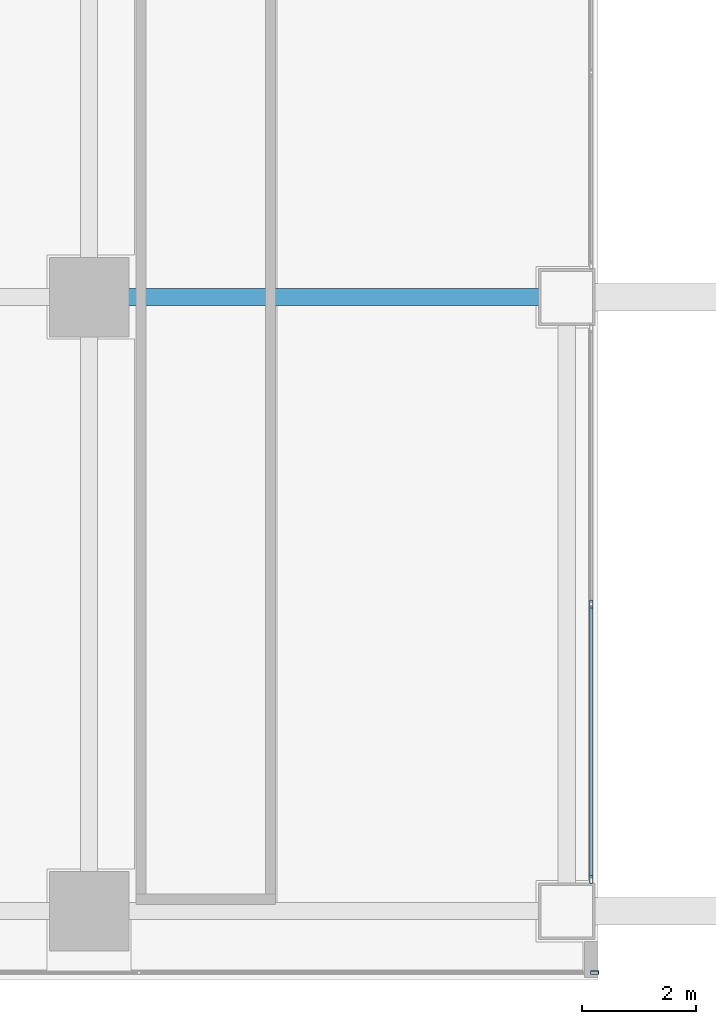
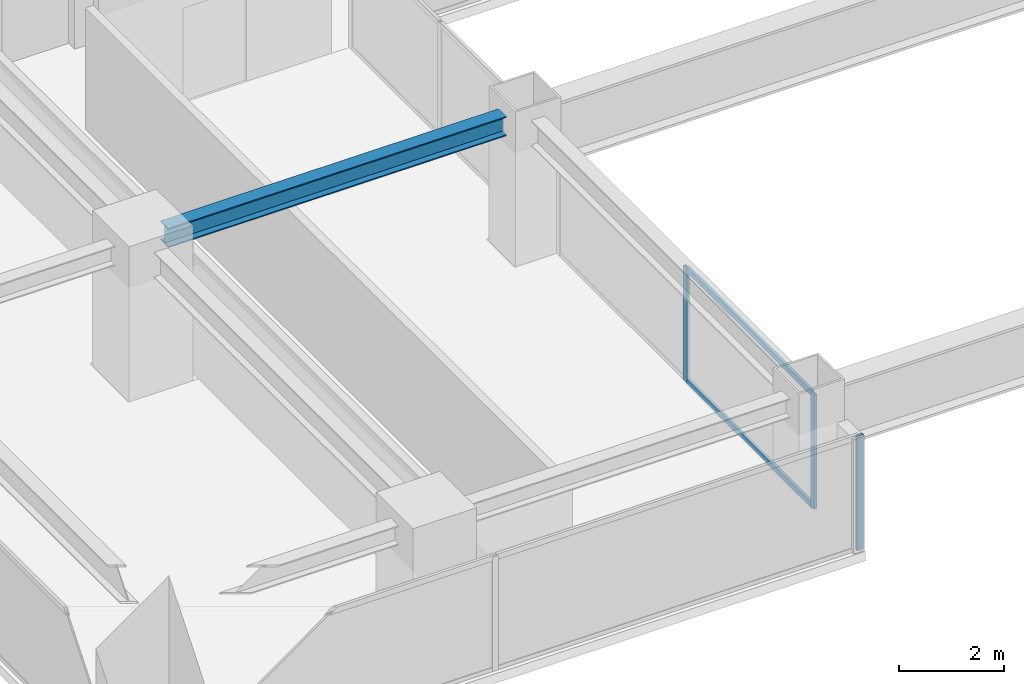
# One storey, part 5 of 32: 5 members, 1 beam, 2 elements without a shape of their own.
"""IFC4 building model written with IfcOpenShell, lengths in metres."""

from ifc_helpers import new_model, si_unit, direction, frame, origin, origin_2d, place, context, subcontext, project, spatial, hollow_rectangle, i_section, extrude, source, transform, mapped, material, layer, layer_set, material_profile, profile_set, type_object, element, aggregate, save


model = new_model("IFC4")

# Units and contexts
model_context = context("Model", 3, precision=1e-05, world=origin(), true_north=direction((0.0, 1.0)))
body_context = subcontext(model_context, "Body", "Model", "MODEL_VIEW")
ifc_project = project(units=[si_unit("LENGTHUNIT", "METRE"), si_unit("AREAUNIT", "SQUARE_METRE"), si_unit("VOLUMEUNIT", "CUBIC_METRE"), si_unit("PLANEANGLEUNIT", "RADIAN"), si_unit("MASSUNIT", "GRAM", prefix="KILO")], contexts=[model_context])

# Site, building, storey
site_placement = place(None, origin())
site = spatial("IfcSite", under=ifc_project, at=site_placement, CompositionType="ELEMENT")
building_placement = place(site_placement, origin())
building = spatial("IfcBuilding", under=site, at=building_placement, Name="Sumidabori Civic Tower", CompositionType="ELEMENT")
storey_placement = place(building_placement, frame((0.0, 0.0, 225.199951171875)))
storey = spatial("IfcBuildingStorey", under=building, at=storey_placement, Name="L58", CompositionType="ELEMENT", Elevation=225.199951171875)

# Beam
ifc_material_1 = material(Name="Steel SN490", Category="steel")
ifc_material_profile_1 = material_profile(ifc_material_1, i_section(OverallWidth=0.300048828125, OverallDepth=0.449951171875, WebThickness=0.013916015625, FlangeThickness=0.02587890625, at=origin_2d()), Name="HE 450 B")
ifc_profile_set_1 = profile_set([ifc_material_profile_1], Name="Steel SN490")
beam_type = type_object("IfcBeamType", Name="BM-GIRD-450", PredefinedType="BEAM", material=ifc_profile_set_1)
shared_shape_1 = source(origin(), body_context, "Body", "SweptSolid", [
    extrude(i_section(OverallWidth=0.300048828125, OverallDepth=0.449951171875, WebThickness=0.013916015625, FlangeThickness=0.02587890625, at=origin_2d()), origin(), (0.0, 0.0, 1.0), 7.440185546875),
])
beam_placement = place(storey_placement, frame((-16.320068359375, 0.0, 3.054931640625), z_axis=(1.0, 0.0, 0.0), x_axis=(0.0, 1.0, 0.0)))
element("IfcBeam", 1, at=beam_placement, inside=storey, type_object=beam_type, Name="Primary Girder L58 GX-06", PredefinedType="BEAM", context=body_context, shape_type="MappedRepresentation", body=[
    mapped(shared_shape_1, transform((0.0, 0.0, 0.0), x_axis=(1.0, 0.0, 0.0), y_axis=(0.0, 1.0, 0.0), z_axis=(0.0, 0.0, 1.0), scale=1.0)),
])

# Curtain wall, members
ifc_material_2 = material(Name="Anodised Bronze Aluminium AW-6063-T6", Category="aluminium")
ifc_layer_1 = layer(ifc_material_2, 0.179931640625, Name="Anodised Bronze Aluminium AW-6063-T6")
ifc_layer_set_1 = layer_set([ifc_layer_1], Name="Anodised Bronze Aluminium AW-6063-T6")
curtain_wall_type_1 = type_object("IfcCurtainWallType", Name="CW-SYS-4", PredefinedType="NOTDEFINED", material=ifc_layer_set_1)
curtain_wall_1_placement = place(storey_placement, origin())
curtain_wall_1 = element("IfcCurtainWall", 2, at=curtain_wall_1_placement, inside=storey, type_object=curtain_wall_type_1, Name="Curtain Wall CW:L58:R03", PredefinedType="NOTDEFINED")
ifc_material_profile_2 = material_profile(ifc_material_2, hollow_rectangle(XDim=0.06005859375, YDim=0.1298828125, WallThickness=0.0048828125, at=origin_2d()), Name="ALU TRANSOM 130x60")
ifc_profile_set_2 = profile_set([ifc_material_profile_2], Name="Anodised Bronze Aluminium AW-6063-T6")
member_type_1 = type_object("IfcMemberType", Name="CW-TRN-130", PredefinedType="USERDEFINED", material=ifc_profile_set_2)
shared_shape_2 = source(origin(), body_context, "Body", "SweptSolid", [
    extrude(hollow_rectangle(XDim=0.06005859375, YDim=0.1298828125, WallThickness=0.0048828125, at=origin_2d()), origin(), (0.0, 0.0, 1.0), 4.780029296875),
])
member_1_placement = place(storey_placement, frame((-7.969970703125, -10.2099609375, 0.030029296875), z_axis=(0.0, 1.0, 0.0), x_axis=(-1.0, 0.0, 0.0)))
member_1 = element("IfcMember", 3, at=member_1_placement, type_object=member_type_1, Name="CW-4 transom 1.1", ObjectType="TRANSOM", PredefinedType="USERDEFINED", context=body_context, shape_type="MappedRepresentation", body=[
    mapped(shared_shape_2, transform((0.0, 0.0, 0.0), x_axis=(1.0, 0.0, 0.0), y_axis=(0.0, 1.0, 0.0), z_axis=(0.0, 0.0, 1.0), scale=1.0)),
])
member_2_placement = place(storey_placement, frame((-7.969970703125, -10.2099609375, 2.630126953125), z_axis=(0.0, 1.0, 0.0), x_axis=(-1.0, 0.0, 0.0)))
member_2 = element("IfcMember", 4, at=member_2_placement, type_object=member_type_1, Name="CW-4 transom 1.2", ObjectType="TRANSOM", PredefinedType="USERDEFINED", context=body_context, shape_type="MappedRepresentation", body=[
    mapped(shared_shape_2, transform((0.0, 0.0, 0.0), x_axis=(1.0, 0.0, 0.0), y_axis=(0.0, 1.0, 0.0), z_axis=(0.0, 0.0, 1.0), scale=1.0)),
])

# Curtain wall, member
ifc_layer_2 = layer(ifc_material_2, 0.179931640625, Name="Anodised Bronze Aluminium AW-6063-T6")
ifc_layer_set_2 = layer_set([ifc_layer_2], Name="Anodised Bronze Aluminium AW-6063-T6")
curtain_wall_type_2 = type_object("IfcCurtainWallType", Name="CW-SYS-5", PredefinedType="NOTDEFINED", material=ifc_layer_set_2)
curtain_wall_2_placement = place(storey_placement, origin())
curtain_wall_2 = element("IfcCurtainWall", 5, at=curtain_wall_2_placement, inside=storey, type_object=curtain_wall_type_2, Name="Curtain Wall CW:L58:R01", PredefinedType="NOTDEFINED")
ifc_material_profile_3 = material_profile(ifc_material_2, hollow_rectangle(XDim=0.06005859375, YDim=0.139892578125, WallThickness=0.0048828125, at=origin_2d()), Name="ALU MULLION 140x60")
ifc_profile_set_3 = profile_set([ifc_material_profile_3], Name="Anodised Bronze Aluminium AW-6063-T6")
member_type_2 = type_object("IfcMemberType", Name="CW-MUL-140", PredefinedType="MULLION", material=ifc_profile_set_3)
shared_shape_3 = source(origin(), body_context, "Body", "SweptSolid", [
    extrude(hollow_rectangle(XDim=0.06005859375, YDim=0.139892578125, WallThickness=0.0048828125, at=origin_2d()), origin(), (0.0, 0.0, 1.0), 2.66015625),
])
member_3_placement = place(storey_placement, frame((-7.909912109375, -11.8798828125, 0.0), z_axis=(0.0, 0.0, 1.0), x_axis=(0.0, 1.0, 0.0)))
member_3 = element("IfcMember", 6, at=member_3_placement, type_object=member_type_2, Name="CW-5 mullion 3", PredefinedType="MULLION", context=body_context, shape_type="MappedRepresentation", body=[
    mapped(shared_shape_3, transform((0.0, 0.0, 0.0), x_axis=(1.0, 0.0, 0.0), y_axis=(0.0, 1.0, 0.0), z_axis=(0.0, 0.0, 1.0), scale=1.0)),
])
aggregate(curtain_wall_2, [member_3])

# Member
member_4_placement = place(storey_placement, frame((-7.969970703125, -10.239990234375, 0.0), z_axis=(0.0, 0.0, 1.0), x_axis=(-1.0, 0.0, 0.0)))
member_4 = element("IfcMember", 7, at=member_4_placement, type_object=member_type_2, Name="CW-4 mullion 1", PredefinedType="MULLION", context=body_context, shape_type="MappedRepresentation", body=[
    mapped(shared_shape_3, transform((0.0, 0.0, 0.0), x_axis=(1.0, 0.0, 0.0), y_axis=(0.0, 1.0, 0.0), z_axis=(0.0, 0.0, 1.0), scale=1.0)),
])

member_5_placement = place(storey_placement, frame((-7.969970703125, -5.39990234375, 0.0), z_axis=(0.0, 0.0, 1.0), x_axis=(-1.0, 0.0, 0.0)))
member_5 = element("IfcMember", 8, at=member_5_placement, type_object=member_type_2, Name="CW-4 mullion 2", PredefinedType="MULLION", context=body_context, shape_type="MappedRepresentation", body=[
    mapped(shared_shape_3, transform((0.0, 0.0, 0.0), x_axis=(1.0, 0.0, 0.0), y_axis=(0.0, 1.0, 0.0), z_axis=(0.0, 0.0, 1.0), scale=1.0)),
])

aggregate(curtain_wall_1, [member_4, member_5, member_1, member_2])

save(model, "model.ifc")
